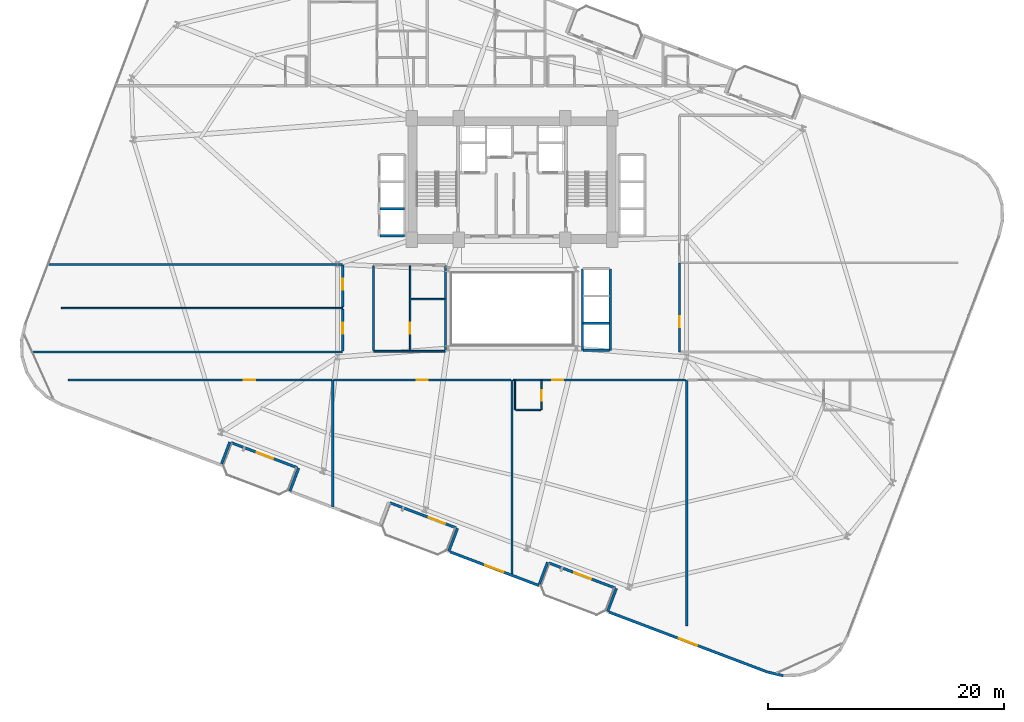
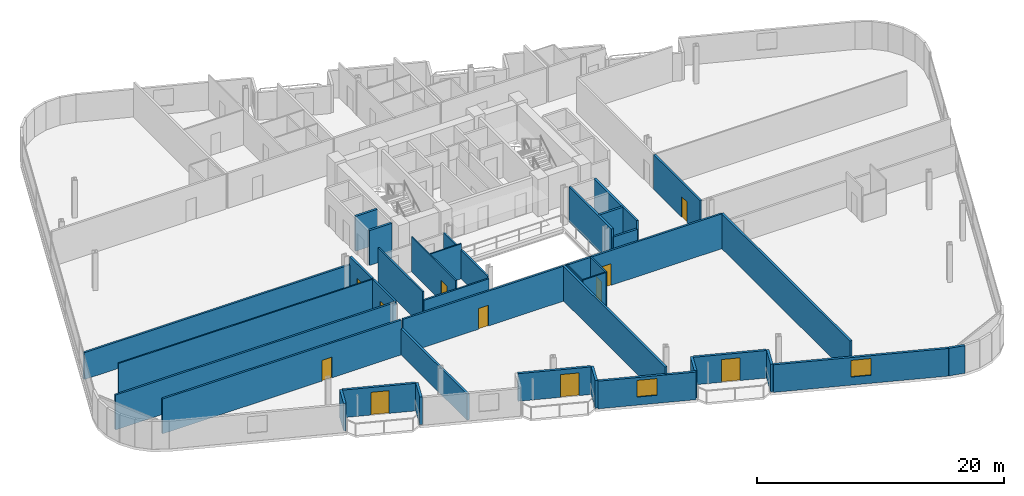
# One storey, part 18 of 25: 37 walls, 11 doors, 2 windows, 13 openings.
"""IFC4 building model written with IfcOpenShell, lengths in metres."""

from ifc_helpers import new_model, si_unit, direction, frame, frame_2d, origin, place, context, subcontext, project, spatial, rectangle, extrude, material, layer, layer_set, type_object, element, fill, save


model = new_model("IFC4")

# Units and contexts
model_context = context("Model", 3, precision=1e-05, world=origin(), true_north=direction((0.0, 1.0)))
body_context = subcontext(model_context, "Body", "Model", "MODEL_VIEW")
ifc_project = project(units=[si_unit("LENGTHUNIT", "METRE"), si_unit("AREAUNIT", "SQUARE_METRE"), si_unit("VOLUMEUNIT", "CUBIC_METRE"), si_unit("PLANEANGLEUNIT", "RADIAN"), si_unit("MASSUNIT", "GRAM", prefix="KILO")], contexts=[model_context])

# Site, building, storey
site_placement = place(None, origin())
site = spatial("IfcSite", under=ifc_project, at=site_placement, CompositionType="ELEMENT")
building_placement = place(site_placement, origin())
building = spatial("IfcBuilding", under=site, at=building_placement, Name="Varnelok Gate Tower", CompositionType="ELEMENT")
storey_placement = place(building_placement, frame((0.0, 0.0, 105.800048828125)))
storey = spatial("IfcBuildingStorey", under=building, at=storey_placement, Name="L26", CompositionType="ELEMENT", Elevation=105.800048828125)

# Wall, opening, door
ifc_material_1 = material(Name="Concrete C45/55", Category="concrete")
ifc_layer_1 = layer(ifc_material_1, 0.219970703125)
ifc_layer_set_1 = layer_set([ifc_layer_1], Name="Concrete C45/55")
wall_type_1 = type_object("IfcWallType", Name="EW-BALC-220", PredefinedType="SOLIDWALL", material=ifc_layer_set_1)
wall_1_placement = place(storey_placement, frame((21.00048828125, 9.42529296875, 0.0), z_axis=(0.0, 0.0, 1.0), x_axis=(-0.93521416643, 0.354082565101, 0.0)))
wall_1 = element("IfcWall", 1, at=wall_1_placement, inside=storey, type_object=wall_type_1, Name="L26 South Terrace Envelope Wall 1", PredefinedType="SOLIDWALL", context=body_context, shape_type="SweptSolid", body=[
    extrude(rectangle(XDim=6.0, YDim=0.219970703125, at=frame_2d((3.0, 0.0))), origin(), (0.0, 0.0, 1.0), 2.72998046875),
])
opening_1_placement = place(wall_1_placement, frame((2.176025390625, 0.0, 0.0)))
opening_1 = element("IfcOpeningElement", 2, at=opening_1_placement, cuts=wall_1, Name="Opening BD-1", PredefinedType="OPENING", context=body_context, shape_type="SweptSolid", body=[
    extrude(rectangle(XDim=1.5, YDim=2.25, at=frame_2d((0.75, 1.125))), frame((0.0, 0.119873046875, 0.0), z_axis=(0.0, -1.0, 0.0), x_axis=(1.0, 0.0, 0.0)), (0.0, 0.0, 1.0), 0.239990234375),
])
ifc_material_2 = material(Name="Anodized Aluminum Alloy 6063-T6", Category="aluminium")
door_type_1 = type_object("IfcDoorType", Name="DR-EXT-BALC1500", OperationType="NOTDEFINED", PredefinedType="DOOR", material=ifc_material_2)
door_1_placement = place(opening_1_placement, origin())
door_1 = element("IfcDoor", 3, at=door_1_placement, inside=storey, type_object=door_type_1, Name="L26 South Balcony Glazed Door 1", OperationType="SINGLE_SWING_RIGHT", OverallHeight=2.25, OverallWidth=1.5, PredefinedType="DOOR", context=body_context, shape_type="SweptSolid", body=[
    extrude(rectangle(XDim=1.5, YDim=2.25, at=frame_2d((0.75, 1.125))), frame((0.0, 0.02490234375, 0.0), z_axis=(0.0, -1.0, 0.0), x_axis=(1.0, 0.0, 0.0)), (0.0, 0.0, 1.0), 0.050048828125),
])
fill(opening_1, door_1)

wall_2_placement = place(storey_placement, frame((34.4677734375, 4.326904296875, 0.0), z_axis=(0.0, 0.0, 1.0), x_axis=(-0.9352192676, 0.354069091436, 0.0)))
wall_2 = element("IfcWall", 4, at=wall_2_placement, inside=storey, type_object=wall_type_1, Name="L26 South Terrace Envelope Wall 2", PredefinedType="SOLIDWALL", context=body_context, shape_type="SweptSolid", body=[
    extrude(rectangle(XDim=6.000244140625, YDim=0.219970703125, at=frame_2d((3.0, 0.0))), origin(), (0.0, 0.0, 1.0), 2.72998046875),
])
opening_2_placement = place(wall_2_placement, frame((0.991943359375, 0.0, 0.0)))
opening_2 = element("IfcOpeningElement", 5, at=opening_2_placement, cuts=wall_2, Name="Opening BD-1", PredefinedType="OPENING", context=body_context, shape_type="SweptSolid", body=[
    extrude(rectangle(XDim=1.5, YDim=2.25, at=frame_2d((0.75, 1.125))), frame((0.0, 0.119873046875, 0.0), z_axis=(0.0, -1.0, 0.0), x_axis=(1.0, 0.0, 0.0)), (0.0, 0.0, 1.0), 0.239990234375),
])
door_2_placement = place(opening_2_placement, origin())
door_2 = element("IfcDoor", 6, at=door_2_placement, inside=storey, type_object=door_type_1, Name="L26 South Balcony Glazed Door 2", OperationType="SINGLE_SWING_LEFT", OverallHeight=2.25, OverallWidth=1.5, PredefinedType="DOOR", context=body_context, shape_type="SweptSolid", body=[
    extrude(rectangle(XDim=1.5, YDim=2.25, at=frame_2d((0.75, 1.125))), frame((0.0, 0.02490234375, 0.0), z_axis=(0.0, -1.0, 0.0), x_axis=(1.0, 0.0, 0.0)), (0.0, 0.0, 1.0), 0.050048828125),
])
fill(opening_2, door_2)

wall_3_placement = place(storey_placement, frame((47.934814453125, -0.771484375, 0.0), z_axis=(0.0, 0.0, 1.0), x_axis=(-0.935227640088, 0.354046976001, 0.0)))
wall_3 = element("IfcWall", 7, at=wall_3_placement, inside=storey, type_object=wall_type_1, Name="L26 South Terrace Envelope Wall 3", PredefinedType="SOLIDWALL", context=body_context, shape_type="SweptSolid", body=[
    extrude(rectangle(XDim=6.0, YDim=0.219970703125, at=frame_2d((3.0, 0.0))), origin(), (0.0, 0.0, 1.0), 2.72998046875),
])
opening_3_placement = place(wall_3_placement, frame((2.176025390625, 0.0, 0.0)))
opening_3 = element("IfcOpeningElement", 8, at=opening_3_placement, cuts=wall_3, Name="Opening BD-1", PredefinedType="OPENING", context=body_context, shape_type="SweptSolid", body=[
    extrude(rectangle(XDim=1.5, YDim=2.25, at=frame_2d((0.75, 1.125))), frame((0.0, 0.119873046875, 0.0), z_axis=(0.0, -1.0, 0.0), x_axis=(1.0, 0.0, 0.0)), (0.0, 0.0, 1.0), 0.239990234375),
])
door_3_placement = place(opening_3_placement, origin())
door_3 = element("IfcDoor", 9, at=door_3_placement, inside=storey, type_object=door_type_1, Name="L26 South Balcony Glazed Door 3", OperationType="SINGLE_SWING_RIGHT", OverallHeight=2.25, OverallWidth=1.5, PredefinedType="DOOR", context=body_context, shape_type="SweptSolid", body=[
    extrude(rectangle(XDim=1.5, YDim=2.25, at=frame_2d((0.75, 1.125))), frame((0.0, 0.02490234375, 0.0), z_axis=(0.0, -1.0, 0.0), x_axis=(1.0, 0.0, 0.0)), (0.0, 0.0, 1.0), 0.050048828125),
])
fill(opening_3, door_3)

# Walls
wall_4_placement = place(storey_placement, frame((14.581298828125, 9.754638671875, 0.0), z_axis=(0.0, 0.0, 1.0), x_axis=(0.354061611705, 0.935222099352, 0.0)))
element("IfcWall", 10, at=wall_4_placement, inside=storey, type_object=wall_type_1, Name="L26 Perimeter Facade Closure Wall 8", PredefinedType="SOLIDWALL", context=body_context, shape_type="SweptSolid", body=[
    extrude(rectangle(XDim=1.974853515625, YDim=0.219970703125, at=frame_2d((0.9873046875, 0.0))), origin(), (0.0, 0.0, 1.0), 2.72998046875),
])
wall_5_placement = place(storey_placement, frame((21.1162109375, 9.392333984375, 0.0), z_axis=(0.0, 0.0, 1.0), x_axis=(-0.353988291547, -0.935249854022, 0.0)))
element("IfcWall", 11, at=wall_5_placement, inside=storey, type_object=wall_type_1, Name="L26 Perimeter Facade Closure Wall 9", PredefinedType="SOLIDWALL", context=body_context, shape_type="SweptSolid", body=[
    extrude(rectangle(XDim=2.10009765625, YDim=0.219970703125, at=frame_2d((1.050048828125, 0.0))), origin(), (0.0, 0.0, 1.0), 2.72998046875),
])
wall_6_placement = place(storey_placement, frame((34.58349609375, 4.293701171875, 0.0), z_axis=(0.0, 0.0, 1.0), x_axis=(-0.354128469405, -0.935196785258, 0.0)))
element("IfcWall", 12, at=wall_6_placement, inside=storey, type_object=wall_type_1, Name="L26 Perimeter Facade Closure Wall 12", PredefinedType="SOLIDWALL", context=body_context, shape_type="SweptSolid", body=[
    extrude(rectangle(XDim=2.099853515625, YDim=0.219970703125, at=frame_2d((1.0498046875, 0.0))), origin(), (0.0, 0.0, 1.0), 2.72998046875),
])

# Wall, opening, window
wall_7_placement = place(storey_placement, frame((33.956787109375, 2.28564453125, 0.0), z_axis=(0.0, 0.0, 1.0), x_axis=(0.935220736163, -0.354065212427, 0.0)))
wall_7 = element("IfcWall", 13, at=wall_7_placement, inside=storey, type_object=wall_type_1, Name="L26 Perimeter Facade Closure Wall 13", PredefinedType="SOLIDWALL", context=body_context, shape_type="SweptSolid", body=[
    extrude(rectangle(XDim=8.03515625, YDim=0.219970703125, at=frame_2d((4.017578125, 0.0))), origin(), (0.0, 0.0, 1.0), 2.72998046875),
])
opening_4_placement = place(wall_7_placement, frame((3.1923828125, 0.0, 0.800048828125)))
opening_4 = element("IfcOpeningElement", 14, at=opening_4_placement, cuts=wall_7, Name="Opening WN3", PredefinedType="OPENING", context=body_context, shape_type="SweptSolid", body=[
    extrude(rectangle(XDim=1.64990234375, YDim=1.64990234375, at=frame_2d((0.824951171875, 0.824951171875))), frame((0.0, 0.119873046875, 0.0), z_axis=(0.0, -1.0, 0.0), x_axis=(1.0, 0.0, 0.0)), (0.0, 0.0, 1.0), 0.239990234375),
])
ifc_material_3 = material(Name="Low-E Laminated Double Glazing IGU", Category="glass")
window_type = type_object("IfcWindowType", Name="WN-HTL-1650", PartitioningType="SINGLE_PANEL", PredefinedType="WINDOW", material=ifc_material_3)
window_1_placement = place(opening_4_placement, origin())
window_1 = element("IfcWindow", 15, at=window_1_placement, inside=storey, type_object=window_type, Name="L26 Perimeter Vision Window 13", OverallHeight=1.64990234375, OverallWidth=1.64990234375, PartitioningType="SINGLE_PANEL", PredefinedType="WINDOW", context=body_context, shape_type="SweptSolid", body=[
    extrude(rectangle(XDim=1.64990234375, YDim=1.64990234375, at=frame_2d((0.824951171875, 0.824951171875))), frame((0.0, 0.030029296875, 0.0), z_axis=(0.0, -1.0, 0.0), x_axis=(1.0, 0.0, 0.0)), (0.0, 0.0, 1.0), 0.06005859375),
])
fill(opening_4, window_1)

# Walls
wall_8_placement = place(storey_placement, frame((41.515625, -0.4423828125, 0.0), z_axis=(0.0, 0.0, 1.0), x_axis=(0.354061611705, 0.935222099352, 0.0)))
element("IfcWall", 16, at=wall_8_placement, inside=storey, type_object=wall_type_1, Name="L26 Perimeter Facade Closure Wall 14", PredefinedType="SOLIDWALL", context=body_context, shape_type="SweptSolid", body=[
    extrude(rectangle(XDim=1.974853515625, YDim=0.219970703125, at=frame_2d((0.9873046875, 0.0))), origin(), (0.0, 0.0, 1.0), 2.72998046875),
])
wall_9_placement = place(storey_placement, frame((48.050537109375, -0.8046875, 0.0), z_axis=(0.0, 0.0, 1.0), x_axis=(-0.353988291547, -0.935249854022, 0.0)))
element("IfcWall", 17, at=wall_9_placement, inside=storey, type_object=wall_type_1, Name="L26 Perimeter Facade Closure Wall 15", PredefinedType="SOLIDWALL", context=body_context, shape_type="SweptSolid", body=[
    extrude(rectangle(XDim=2.10009765625, YDim=0.219970703125, at=frame_2d((1.050048828125, 0.0))), origin(), (0.0, 0.0, 1.0), 2.72998046875),
])

# Wall, opening, window
wall_10_placement = place(storey_placement, frame((47.424072265625, -2.81298828125, 0.0), z_axis=(0.0, 0.0, 1.0), x_axis=(0.935225962032, -0.354051408614, 0.0)))
wall_10 = element("IfcWall", 18, at=wall_10_placement, inside=storey, type_object=wall_type_1, Name="L26 Perimeter Facade Closure Wall 16", PredefinedType="SOLIDWALL", context=body_context, shape_type="SweptSolid", body=[
    extrude(rectangle(XDim=14.346923828125, YDim=0.219970703125, at=frame_2d((7.17333984375, 0.0))), origin(), (0.0, 0.0, 1.0), 2.72998046875),
])
opening_5_placement = place(wall_10_placement, frame((6.348388671875, 0.0, 0.800048828125)))
opening_5 = element("IfcOpeningElement", 19, at=opening_5_placement, cuts=wall_10, Name="Opening WN3", PredefinedType="OPENING", context=body_context, shape_type="SweptSolid", body=[
    extrude(rectangle(XDim=1.64990234375, YDim=1.64990234375, at=frame_2d((0.824951171875, 0.824951171875))), frame((0.0, 0.119873046875, 0.0), z_axis=(0.0, -1.0, 0.0), x_axis=(1.0, 0.0, 0.0)), (0.0, 0.0, 1.0), 0.239990234375),
])
window_2_placement = place(opening_5_placement, origin())
window_2 = element("IfcWindow", 20, at=window_2_placement, inside=storey, type_object=window_type, Name="L26 Perimeter Vision Window 16", OverallHeight=1.64990234375, OverallWidth=1.64990234375, PartitioningType="SINGLE_PANEL", PredefinedType="WINDOW", context=body_context, shape_type="SweptSolid", body=[
    extrude(rectangle(XDim=1.64990234375, YDim=1.64990234375, at=frame_2d((0.824951171875, 0.824951171875))), frame((0.0, 0.030029296875, 0.0), z_axis=(0.0, -1.0, 0.0), x_axis=(1.0, 0.0, 0.0)), (0.0, 0.0, 1.0), 0.06005859375),
])
fill(opening_5, window_2)

# Wall
wall_11_placement = place(storey_placement, frame((60.8662109375, -7.8984375, 0.0), z_axis=(0.0, 0.0, 1.0), x_axis=(0.973405403345, -0.229089329169, 0.0)))
element("IfcWall", 21, at=wall_11_placement, inside=storey, type_object=wall_type_1, Name="L26 Perimeter Facade Closure Wall 17", PredefinedType="SOLIDWALL", context=body_context, shape_type="SweptSolid", body=[
    extrude(rectangle(XDim=1.36083984375, YDim=0.219970703125, at=frame_2d((0.680419921875, 0.0))), origin(), (0.0, 0.0, 1.0), 2.72998046875),
])

# Wall, opening, door
ifc_material_4 = material(Name="Gypsum Plasterboard Acoustic Partition", Category="gypsum")
ifc_layer_2 = layer(ifc_material_4, 0.179931640625)
ifc_layer_set_2 = layer_set([ifc_layer_2], Name="Gypsum Plasterboard Acoustic Partition")
wall_type_2 = type_object("IfcWallType", Name="PW-CORR-180", PredefinedType="PARTITIONING", material=ifc_layer_set_2)
wall_12_placement = place(storey_placement, frame((1.580078125, 16.85009765625, 0.0), z_axis=(0.0, 0.0, 1.0), x_axis=(1.0, 0.0, 0.0)))
wall_12 = element("IfcWall", 22, at=wall_12_placement, inside=storey, type_object=wall_type_2, Name="Interior Partition", PredefinedType="PARTITIONING", context=body_context, shape_type="SweptSolid", body=[
    extrude(rectangle(XDim=22.33984375, YDim=0.179931640625, at=frame_2d((11.169921875, 0.0))), origin(), (0.0, 0.0, 1.0), 3.449951171875),
])
opening_6_placement = place(wall_12_placement, frame((14.89501953125, 0.0, 0.0)))
opening_6 = element("IfcOpeningElement", 23, at=opening_6_placement, cuts=wall_12, Name="Opening D-I2", PredefinedType="OPENING", context=body_context, shape_type="SweptSolid", body=[
    extrude(rectangle(XDim=0.949951171875, YDim=2.050048828125, at=frame_2d((0.47509765625, 1.02490234375))), frame((0.0, 0.099853515625, 0.0), z_axis=(0.0, -1.0, 0.0), x_axis=(1.0, 0.0, 0.0)), (0.0, 0.0, 1.0), 0.199951171875),
])
ifc_material_5 = material(Name="Engineered Hardwood Timber", Category="wood")
door_type_2 = type_object("IfcDoorType", Name="DR-INT-950", OperationType="NOTDEFINED", PredefinedType="DOOR", material=ifc_material_5)
door_4_placement = place(opening_6_placement, origin())
door_4 = element("IfcDoor", 24, at=door_4_placement, inside=storey, type_object=door_type_2, Name="L26 Private Owners Horizon Club Door", OperationType="SINGLE_SWING_LEFT", OverallHeight=2.050048828125, OverallWidth=0.949951171875, PredefinedType="DOOR", context=body_context, shape_type="SweptSolid", body=[
    extrude(rectangle(XDim=0.949951171875, YDim=2.050048828125, at=frame_2d((0.47509765625, 1.02490234375))), frame((0.0, 0.02490234375, 0.0), z_axis=(0.0, -1.0, 0.0), x_axis=(1.0, 0.0, 0.0)), (0.0, 0.0, 1.0), 0.050048828125),
])
fill(opening_6, door_4)

wall_13_placement = place(storey_placement, frame((24.080078125, 16.85009765625, 0.0), z_axis=(0.0, 0.0, 1.0), x_axis=(1.0, 0.0, 0.0)))
wall_13 = element("IfcWall", 25, at=wall_13_placement, inside=storey, type_object=wall_type_2, Name="Interior Partition", PredefinedType="PARTITIONING", context=body_context, shape_type="SweptSolid", body=[
    extrude(rectangle(XDim=15.0400390625, YDim=0.179931640625, at=frame_2d((7.52001953125, 0.0))), origin(), (0.0, 0.0, 1.0), 3.449951171875),
])
opening_7_placement = place(wall_13_placement, frame((7.044921875, 0.0, 0.0)))
opening_7 = element("IfcOpeningElement", 26, at=opening_7_placement, cuts=wall_13, Name="Opening D-I2", PredefinedType="OPENING", context=body_context, shape_type="SweptSolid", body=[
    extrude(rectangle(XDim=0.949951171875, YDim=2.050048828125, at=frame_2d((0.47509765625, 1.02490234375))), frame((0.0, 0.099853515625, 0.0), z_axis=(0.0, -1.0, 0.0), x_axis=(1.0, 0.0, 0.0)), (0.0, 0.0, 1.0), 0.199951171875),
])
door_5_placement = place(opening_7_placement, origin())
door_5 = element("IfcDoor", 27, at=door_5_placement, inside=storey, type_object=door_type_2, Name="L26 Sky Library Door", OperationType="SINGLE_SWING_LEFT", OverallHeight=2.050048828125, OverallWidth=0.949951171875, PredefinedType="DOOR", context=body_context, shape_type="SweptSolid", body=[
    extrude(rectangle(XDim=0.949951171875, YDim=2.050048828125, at=frame_2d((0.47509765625, 1.02490234375))), frame((0.0, 0.02490234375, 0.0), z_axis=(0.0, -1.0, 0.0), x_axis=(1.0, 0.0, 0.0)), (0.0, 0.0, 1.0), 0.050048828125),
])
fill(opening_7, door_5)

wall_14_placement = place(storey_placement, frame((39.280029296875, 16.85009765625, 0.0), z_axis=(0.0, 0.0, 1.0), x_axis=(1.0, 0.0, 0.0)))
wall_14 = element("IfcWall", 28, at=wall_14_placement, inside=storey, type_object=wall_type_2, Name="Interior Partition", PredefinedType="PARTITIONING", context=body_context, shape_type="SweptSolid", body=[
    extrude(rectangle(XDim=14.639892578125, YDim=0.179931640625, at=frame_2d((7.31982421875, 0.0))), origin(), (0.0, 0.0, 1.0), 3.449951171875),
])
opening_8_placement = place(wall_14_placement, frame((3.322021484375, 0.0, 0.0)))
opening_8 = element("IfcOpeningElement", 29, at=opening_8_placement, cuts=wall_14, Name="Opening D-HT", PredefinedType="OPENING", context=body_context, shape_type="SweptSolid", body=[
    extrude(rectangle(XDim=0.949951171875, YDim=2.14990234375, at=frame_2d((0.47509765625, 1.074951171875))), frame((0.0, 0.099853515625, 0.0), z_axis=(0.0, -1.0, 0.0), x_axis=(1.0, 0.0, 0.0)), (0.0, 0.0, 1.0), 0.199951171875),
])
door_type_3 = type_object("IfcDoorType", Name="DR-HTL-950", OperationType="NOTDEFINED", PredefinedType="DOOR", material=ifc_material_5)
door_6_placement = place(opening_8_placement, origin())
door_6 = element("IfcDoor", 30, at=door_6_placement, inside=storey, type_object=door_type_3, Name="L26 Guest Room 03 Entrance Door", OperationType="SINGLE_SWING_RIGHT", OverallHeight=2.14990234375, OverallWidth=0.949951171875, PredefinedType="DOOR", context=body_context, shape_type="SweptSolid", body=[
    extrude(rectangle(XDim=0.949951171875, YDim=2.14990234375, at=frame_2d((0.47509765625, 1.074951171875))), frame((0.0, 0.02490234375, 0.0), z_axis=(0.0, -1.0, 0.0), x_axis=(1.0, 0.0, 0.0)), (0.0, 0.0, 1.0), 0.050048828125),
])
fill(opening_8, door_6)

wall_15_placement = place(storey_placement, frame((24.85009765625, 19.300048828125, 0.0), z_axis=(0.0, 0.0, 1.0), x_axis=(0.0, 1.0, 0.0)))
wall_15 = element("IfcWall", 31, at=wall_15_placement, inside=storey, type_object=wall_type_2, Name="Interior Partition", PredefinedType="PARTITIONING", context=body_context, shape_type="SweptSolid", body=[
    extrude(rectangle(XDim=3.570068359375, YDim=0.179931640625, at=frame_2d((1.78515625, 0.0))), origin(), (0.0, 0.0, 1.0), 3.449951171875),
])
opening_9_placement = place(wall_15_placement, frame((1.49951171875, 0.0, 0.0)))
opening_9 = element("IfcOpeningElement", 32, at=opening_9_placement, cuts=wall_15, Name="Opening D-I3", PredefinedType="OPENING", context=body_context, shape_type="SweptSolid", body=[
    extrude(rectangle(XDim=0.919921875, YDim=2.050048828125, at=frame_2d((0.4599609375, 1.02490234375))), frame((0.0, 0.099853515625, 0.0), z_axis=(0.0, -1.0, 0.0), x_axis=(1.0, 0.0, 0.0)), (0.0, 0.0, 1.0), 0.199951171875),
])
door_type_4 = type_object("IfcDoorType", Name="DR-INT-920", OperationType="NOTDEFINED", PredefinedType="DOOR", material=ifc_material_5)
door_7_placement = place(opening_9_placement, origin())
door_7 = element("IfcDoor", 33, at=door_7_placement, inside=storey, type_object=door_type_4, Name="L26 West Wing Room 1 Door", OperationType="SINGLE_SWING_LEFT", OverallHeight=2.050048828125, OverallWidth=0.919921875, PredefinedType="DOOR", context=body_context, shape_type="SweptSolid", body=[
    extrude(rectangle(XDim=0.919921875, YDim=2.050048828125, at=frame_2d((0.4599609375, 1.02490234375))), frame((0.0, 0.02490234375, 0.0), z_axis=(0.0, -1.0, 0.0), x_axis=(1.0, 0.0, 0.0)), (0.0, 0.0, 1.0), 0.050048828125),
])
fill(opening_9, door_7)

wall_16_placement = place(storey_placement, frame((24.85009765625, 23.030029296875, 0.0), z_axis=(0.0, 0.0, 1.0), x_axis=(0.0, 1.0, 0.0)))
wall_16 = element("IfcWall", 34, at=wall_16_placement, inside=storey, type_object=wall_type_2, Name="Interior Partition", PredefinedType="PARTITIONING", context=body_context, shape_type="SweptSolid", body=[
    extrude(rectangle(XDim=3.570068359375, YDim=0.179931640625, at=frame_2d((1.78515625, 0.0))), origin(), (0.0, 0.0, 1.0), 3.449951171875),
])
opening_10_placement = place(wall_16_placement, frame((1.49951171875, 0.0, 0.0)))
opening_10 = element("IfcOpeningElement", 35, at=opening_10_placement, cuts=wall_16, Name="Opening D-I3", PredefinedType="OPENING", context=body_context, shape_type="SweptSolid", body=[
    extrude(rectangle(XDim=0.919921875, YDim=2.050048828125, at=frame_2d((0.4599609375, 1.02490234375))), frame((0.0, 0.099853515625, 0.0), z_axis=(0.0, -1.0, 0.0), x_axis=(1.0, 0.0, 0.0)), (0.0, 0.0, 1.0), 0.199951171875),
])
door_8_placement = place(opening_10_placement, origin())
door_8 = element("IfcDoor", 36, at=door_8_placement, inside=storey, type_object=door_type_4, Name="L26 West Wing Room 2 Door", OperationType="SINGLE_SWING_RIGHT", OverallHeight=2.050048828125, OverallWidth=0.919921875, PredefinedType="DOOR", context=body_context, shape_type="SweptSolid", body=[
    extrude(rectangle(XDim=0.919921875, YDim=2.050048828125, at=frame_2d((0.4599609375, 1.02490234375))), frame((0.0, 0.02490234375, 0.0), z_axis=(0.0, -1.0, 0.0), x_axis=(1.0, 0.0, 0.0)), (0.0, 0.0, 1.0), 0.050048828125),
])
fill(opening_10, door_8)

# Walls
wall_17_placement = place(storey_placement, frame((-1.432373046875, 19.239990234375, 0.0), z_axis=(0.0, 0.0, 1.0), x_axis=(1.0, 0.0, 0.0)))
element("IfcWall", 37, at=wall_17_placement, inside=storey, type_object=wall_type_2, Name="Interior Partition", PredefinedType="PARTITIONING", context=body_context, shape_type="SweptSolid", body=[
    extrude(rectangle(XDim=26.282470703125, YDim=0.179931640625, at=frame_2d((13.14111328125, 0.0))), origin(), (0.0, 0.0, 1.0), 3.449951171875),
])
wall_18_placement = place(storey_placement, frame((-0.0859375, 26.659912109375, 0.0), z_axis=(0.0, 0.0, 1.0), x_axis=(1.0, 0.0, 0.0)))
element("IfcWall", 38, at=wall_18_placement, inside=storey, type_object=wall_type_2, Name="Interior Partition", PredefinedType="PARTITIONING", context=body_context, shape_type="SweptSolid", body=[
    extrude(rectangle(XDim=24.93603515625, YDim=0.179931640625, at=frame_2d((12.468017578125, 0.0))), origin(), (0.0, 0.0, 1.0), 2.661865234375),
])

# Wall, opening, door
wall_19_placement = place(storey_placement, frame((53.389892578125, 19.239990234375, 0.0), z_axis=(0.0, 0.0, 1.0), x_axis=(0.0, 1.0, 0.0)))
wall_19 = element("IfcWall", 39, at=wall_19_placement, inside=storey, type_object=wall_type_2, Name="Interior Partition", PredefinedType="PARTITIONING", context=body_context, shape_type="SweptSolid", body=[
    extrude(rectangle(XDim=7.52001953125, YDim=0.179931640625, at=frame_2d((3.760009765625, 0.0))), origin(), (0.0, 0.0, 1.0), 3.449951171875),
])
opening_11_placement = place(wall_19_placement, frame((2.10009765625, 0.0, 0.0)))
opening_11 = element("IfcOpeningElement", 40, at=opening_11_placement, cuts=wall_19, Name="Opening D-I3", PredefinedType="OPENING", context=body_context, shape_type="SweptSolid", body=[
    extrude(rectangle(XDim=0.919921875, YDim=2.050048828125, at=frame_2d((0.4599609375, 1.02490234375))), frame((0.0, 0.099853515625, 0.0), z_axis=(0.0, -1.0, 0.0), x_axis=(1.0, 0.0, 0.0)), (0.0, 0.0, 1.0), 0.199951171875),
])
door_9_placement = place(opening_11_placement, origin())
door_9 = element("IfcDoor", 41, at=door_9_placement, inside=storey, type_object=door_type_4, Name="L26 East Studio Door", OperationType="SINGLE_SWING_RIGHT", OverallHeight=2.050048828125, OverallWidth=0.919921875, PredefinedType="DOOR", context=body_context, shape_type="SweptSolid", body=[
    extrude(rectangle(XDim=0.919921875, YDim=2.050048828125, at=frame_2d((0.4599609375, 1.02490234375))), frame((0.0, 0.02490234375, 0.0), z_axis=(0.0, -1.0, 0.0), x_axis=(1.0, 0.0, 0.0)), (0.0, 0.0, 1.0), 0.050048828125),
])
fill(opening_11, door_9)

# Wall
ifc_layer_3 = layer(ifc_material_4, 0.114990234375)
ifc_layer_set_3 = layer_set([ifc_layer_3], Name="Gypsum Plasterboard Acoustic Partition")
wall_type_3 = type_object("IfcWallType", Name="PW-ENS-125", PredefinedType="PARTITIONING", material=ifc_layer_set_3)
wall_20_placement = place(storey_placement, frame((39.5, 14.330078125, 0.0), z_axis=(0.0, 0.0, 1.0), x_axis=(1.0, 0.0, 0.0)))
element("IfcWall", 42, at=wall_20_placement, inside=storey, type_object=wall_type_3, Name="Interior Partition", PredefinedType="PARTITIONING", context=body_context, shape_type="SweptSolid", body=[
    extrude(rectangle(XDim=2.14990234375, YDim=0.114990234375, at=frame_2d((1.074951171875, 0.0))), origin(), (0.0, 0.0, 1.0), 3.449951171875),
])

# Wall, opening, door
wall_21_placement = place(storey_placement, frame((41.68994140625, 14.330078125, 0.0), z_axis=(0.0, 0.0, 1.0), x_axis=(0.0, 1.0, 0.0)))
wall_21 = element("IfcWall", 43, at=wall_21_placement, inside=storey, type_object=wall_type_3, Name="Interior Partition", PredefinedType="PARTITIONING", context=body_context, shape_type="SweptSolid", body=[
    extrude(rectangle(XDim=2.52001953125, YDim=0.114990234375, at=frame_2d((1.260009765625, 0.0))), origin(), (0.0, 0.0, 1.0), 3.449951171875),
])
opening_12_placement = place(wall_21_placement, frame((0.760009765625, 0.0, 0.0)))
opening_12 = element("IfcOpeningElement", 44, at=opening_12_placement, cuts=wall_21, Name="Opening D-WC", PredefinedType="OPENING", context=body_context, shape_type="SweptSolid", body=[
    extrude(rectangle(XDim=0.89990234375, YDim=2.050048828125, at=frame_2d((0.449951171875, 1.02490234375))), frame((0.0, 0.0673828125, 0.0), z_axis=(0.0, -1.0, 0.0), x_axis=(1.0, 0.0, 0.0)), (0.0, 0.0, 1.0), 0.135009765625),
])
door_type_5 = type_object("IfcDoorType", Name="DR-BATH-900", OperationType="NOTDEFINED", PredefinedType="DOOR", material=ifc_material_5)
door_10_placement = place(opening_12_placement, origin())
door_10 = element("IfcDoor", 45, at=door_10_placement, inside=storey, type_object=door_type_5, Name="L26 Guest En-Suite 03 Door", OperationType="SINGLE_SWING_LEFT", OverallHeight=2.050048828125, OverallWidth=0.89990234375, PredefinedType="DOOR", context=body_context, shape_type="SweptSolid", body=[
    extrude(rectangle(XDim=0.89990234375, YDim=2.050048828125, at=frame_2d((0.449951171875, 1.02490234375))), frame((0.0, 0.02490234375, 0.0), z_axis=(0.0, -1.0, 0.0), x_axis=(1.0, 0.0, 0.0)), (0.0, 0.0, 1.0), 0.050048828125),
])
fill(opening_12, door_10)

# Walls
wall_22_placement = place(storey_placement, frame((39.4599609375, 14.330078125, 0.0), z_axis=(0.0, 0.0, 1.0), x_axis=(0.0, 1.0, 0.0)))
element("IfcWall", 46, at=wall_22_placement, inside=storey, type_object=wall_type_3, Name="Interior Partition", PredefinedType="PARTITIONING", context=body_context, shape_type="SweptSolid", body=[
    extrude(rectangle(XDim=2.52001953125, YDim=0.114990234375, at=frame_2d((1.260009765625, 0.0))), origin(), (0.0, 0.0, 1.0), 3.449951171875),
])
ifc_layer_4 = layer(ifc_material_4, 0.125)
ifc_layer_set_4 = layer_set([ifc_layer_4], Name="Gypsum Plasterboard Acoustic Partition")
wall_type_4 = type_object("IfcWallType", Name="PW-PART-125", PredefinedType="PARTITIONING", material=ifc_layer_set_4)
wall_23_placement = place(storey_placement, frame((1.0, 22.949951171875, 0.0), z_axis=(0.0, 0.0, 1.0), x_axis=(1.0, 0.0, 0.0)))
element("IfcWall", 47, at=wall_23_placement, inside=storey, type_object=wall_type_4, Name="Interior Partition", PredefinedType="PARTITIONING", context=body_context, shape_type="SweptSolid", body=[
    extrude(rectangle(XDim=23.85009765625, YDim=0.125, at=frame_2d((11.925048828125, 0.0))), origin(), (0.0, 0.0, 1.0), 3.449951171875),
])

# Wall, opening, door
wall_24_placement = place(storey_placement, frame((30.56005859375, 19.3798828125, 0.0), z_axis=(0.0, 0.0, 1.0), x_axis=(0.0, 1.0, 0.0)))
wall_24 = element("IfcWall", 48, at=wall_24_placement, inside=storey, type_object=wall_type_4, Name="Interior Partition", PredefinedType="PARTITIONING", context=body_context, shape_type="SweptSolid", body=[
    extrude(rectangle(XDim=7.16015625, YDim=0.125, at=frame_2d((3.580078125, 0.0))), origin(), (0.0, 0.0, 1.0), 3.449951171875),
])
opening_13_placement = place(wall_24_placement, frame((1.39990234375, 0.0, 0.0)))
opening_13 = element("IfcOpeningElement", 49, at=opening_13_placement, cuts=wall_24, Name="Opening D-I3", PredefinedType="OPENING", context=body_context, shape_type="SweptSolid", body=[
    extrude(rectangle(XDim=0.919921875, YDim=2.050048828125, at=frame_2d((0.4599609375, 1.02490234375))), frame((0.0, 0.072509765625, 0.0), z_axis=(0.0, -1.0, 0.0), x_axis=(1.0, 0.0, 0.0)), (0.0, 0.0, 1.0), 0.14501953125),
])
door_11_placement = place(opening_13_placement, origin())
door_11 = element("IfcDoor", 50, at=door_11_placement, inside=storey, type_object=door_type_4, Name="L26 Floor Linen Store Door", OperationType="SINGLE_SWING_RIGHT", OverallHeight=2.050048828125, OverallWidth=0.919921875, PredefinedType="DOOR", context=body_context, shape_type="SweptSolid", body=[
    extrude(rectangle(XDim=0.919921875, YDim=2.050048828125, at=frame_2d((0.4599609375, 1.02490234375))), frame((0.0, 0.02490234375, 0.0), z_axis=(0.0, -1.0, 0.0), x_axis=(1.0, 0.0, 0.0)), (0.0, 0.0, 1.0), 0.050048828125),
])
fill(opening_13, door_11)

# Walls
wall_25_placement = place(storey_placement, frame((30.639892578125, 23.7099609375, 0.0), z_axis=(0.0, 0.0, 1.0), x_axis=(1.0, 0.0, 0.0)))
element("IfcWall", 51, at=wall_25_placement, inside=storey, type_object=wall_type_4, Name="Interior Partition", PredefinedType="PARTITIONING", context=body_context, shape_type="SweptSolid", body=[
    extrude(rectangle(XDim=2.880126953125, YDim=0.125, at=frame_2d((1.43994140625, 0.0))), origin(), (0.0, 0.0, 1.0), 3.449951171875),
])
ifc_layer_5 = layer(ifc_material_4, 0.14990234375)
ifc_layer_set_5 = layer_set([ifc_layer_5], Name="Gypsum Plasterboard Acoustic Partition")
wall_type_5 = type_object("IfcWallType", Name="PW-PART-150", PredefinedType="PARTITIONING", material=ifc_layer_set_5)
wall_26_placement = place(storey_placement, frame((27.4599609375, 19.300048828125, 0.0), z_axis=(0.0, 0.0, 1.0), x_axis=(1.0, 0.0, 0.0)))
element("IfcWall", 52, at=wall_26_placement, inside=storey, type_object=wall_type_5, Name="Interior Partition", PredefinedType="PARTITIONING", context=body_context, shape_type="SweptSolid", body=[
    extrude(rectangle(XDim=6.10009765625, YDim=0.14990234375, at=frame_2d((3.050048828125, 0.0))), origin(), (0.0, 0.0, 1.0), 2.661865234375),
])
wall_27_placement = place(storey_placement, frame((27.4599609375, 19.3798828125, 0.0), z_axis=(0.0, 0.0, 1.0), x_axis=(0.0, 1.0, 0.0)))
element("IfcWall", 53, at=wall_27_placement, inside=storey, type_object=wall_type_5, Name="Interior Partition", PredefinedType="PARTITIONING", context=body_context, shape_type="SweptSolid", body=[
    extrude(rectangle(XDim=7.16015625, YDim=0.14990234375, at=frame_2d((3.580078125, 0.0))), origin(), (0.0, 0.0, 1.0), 3.449951171875),
])
wall_28_placement = place(storey_placement, frame((33.56005859375, 19.3798828125, 0.0), z_axis=(0.0, 0.0, 1.0), x_axis=(0.0, 1.0, 0.0)))
element("IfcWall", 54, at=wall_28_placement, inside=storey, type_object=wall_type_5, Name="Interior Partition", PredefinedType="PARTITIONING", context=body_context, shape_type="SweptSolid", body=[
    extrude(rectangle(XDim=7.16015625, YDim=0.14990234375, at=frame_2d((3.580078125, 0.0))), origin(), (0.0, 0.0, 1.0), 2.823974609375),
])
ifc_layer_6 = layer(ifc_material_4, 0.205078125)
ifc_layer_set_6 = layer_set([ifc_layer_6], Name="Gypsum Plasterboard Acoustic Partition")
wall_type_6 = type_object("IfcWallType", Name="PW-PARTY-200", PredefinedType="PARTITIONING", material=ifc_layer_set_6)
wall_29_placement = place(storey_placement, frame((24.0, 6.076416015625, 0.0), z_axis=(0.0, 0.0, 1.0), x_axis=(0.0, 1.0, 0.0)))
element("IfcWall", 55, at=wall_29_placement, inside=storey, type_object=wall_type_6, Name="L26 South Party Wall 1", PredefinedType="PARTITIONING", context=body_context, shape_type="SweptSolid", body=[
    extrude(rectangle(XDim=10.773681640625, YDim=0.205078125, at=frame_2d((5.38671875, 0.0))), origin(), (0.0, 0.0, 1.0), 2.579833984375),
])
wall_30_placement = place(storey_placement, frame((39.199951171875, 0.322021484375, 0.0), z_axis=(0.0, 0.0, 1.0), x_axis=(0.0, 1.0, 0.0)))
element("IfcWall", 56, at=wall_30_placement, inside=storey, type_object=wall_type_6, Name="L26 South Party Wall 2", PredefinedType="PARTITIONING", context=body_context, shape_type="SweptSolid", body=[
    extrude(rectangle(XDim=16.528076171875, YDim=0.205078125, at=frame_2d((8.26416015625, 0.0))), origin(), (0.0, 0.0, 1.0), 3.449951171875),
])
wall_31_placement = place(storey_placement, frame((54.0, -4.0, 0.0), z_axis=(0.0, 0.0, 1.0), x_axis=(0.0, 1.0, 0.0)))
element("IfcWall", 57, at=wall_31_placement, inside=storey, type_object=wall_type_6, Name="L26 South Party Wall 3", PredefinedType="PARTITIONING", context=body_context, shape_type="SweptSolid", body=[
    extrude(rectangle(XDim=20.85009765625, YDim=0.205078125, at=frame_2d((10.425048828125, 0.0))), origin(), (0.0, 0.0, 1.0), 3.449951171875),
])
ifc_material_6 = material(Name="Concrete C35/45", Category="concrete")
ifc_layer_7 = layer(ifc_material_6, 0.199951171875)
ifc_layer_set_7 = layer_set([ifc_layer_7], Name="Concrete C35/45")
wall_type_7 = type_object("IfcWallType", Name="PW-SHAFT-200", PredefinedType="PARTITIONING", material=ifc_layer_set_7)
wall_32_placement = place(storey_placement, frame((28.02001953125, 31.375, 0.0), z_axis=(0.0, 0.0, 1.0), x_axis=(1.0, 0.0, 0.0)))
element("IfcWall", 58, at=wall_32_placement, inside=storey, type_object=wall_type_7, Name="L26 PL1 Divider", PredefinedType="PARTITIONING", context=body_context, shape_type="SweptSolid", body=[
    extrude(rectangle(XDim=2.06005859375, YDim=0.199951171875, at=frame_2d((1.030029296875, 0.0))), origin(), (0.0, 0.0, 1.0), 3.449951171875),
])
wall_33_placement = place(storey_placement, frame((28.0, 29.080078125, 0.0), z_axis=(0.0, 0.0, 1.0), x_axis=(1.0, 0.0, 0.0)))
element("IfcWall", 59, at=wall_33_placement, inside=storey, type_object=wall_type_7, Name="L26 PL Bank South Wall", PredefinedType="PARTITIONING", context=body_context, shape_type="SweptSolid", body=[
    extrude(rectangle(XDim=2.10009765625, YDim=0.199951171875, at=frame_2d((1.050048828125, 0.0))), origin(), (0.0, 0.0, 1.0), 3.449951171875),
])
wall_34_placement = place(storey_placement, frame((45.239990234375, 21.675048828125, 0.0), z_axis=(0.0, 0.0, 1.0), x_axis=(1.0, 0.0, 0.0)))
element("IfcWall", 60, at=wall_34_placement, inside=storey, type_object=wall_type_7, Name="L26 PH1 Divider", PredefinedType="PARTITIONING", context=body_context, shape_type="SweptSolid", body=[
    extrude(rectangle(XDim=2.219970703125, YDim=0.199951171875, at=frame_2d((1.10986328125, 0.0))), origin(), (0.0, 0.0, 1.0), 3.449951171875),
])
wall_35_placement = place(storey_placement, frame((45.239990234375, 19.3798828125, 0.0), z_axis=(0.0, 0.0, 1.0), x_axis=(1.0, 0.0, 0.0)))
element("IfcWall", 61, at=wall_35_placement, inside=storey, type_object=wall_type_7, Name="L26 PH Bank South Wall", PredefinedType="PARTITIONING", context=body_context, shape_type="SweptSolid", body=[
    extrude(rectangle(XDim=2.219970703125, YDim=0.199951171875, at=frame_2d((1.10986328125, 0.0))), origin(), (0.0, 0.0, 1.0), 2.661865234375),
])
for number, where, z_axis, x_axis, name in (
    (62, (45.179931640625, 19.3798828125, 0.0), (0.0, 0.0, 1.0), (0.0, 1.0, 0.0), "L26 PH Bank Atrium Wall"),
    (63, (47.52001953125, 19.3798828125, 0.0), (0.0, 0.0, 1.0), (0.0, 1.0, 0.0), "L26 PH Bank Front Wall"),
):
    element("IfcWall", number, at=place(storey_placement, frame(where, z_axis=z_axis, x_axis=x_axis)), inside=storey, type_object=wall_type_7, Name=name, PredefinedType="PARTITIONING", context=body_context, shape_type="SweptSolid", body=[
        extrude(rectangle(XDim=6.900146484375, YDim=0.199951171875, at=frame_2d((3.4501953125, 0.0))), origin(), (0.0, 0.0, 1.0), 3.449951171875),
    ])

save(model, "model.ifc")
